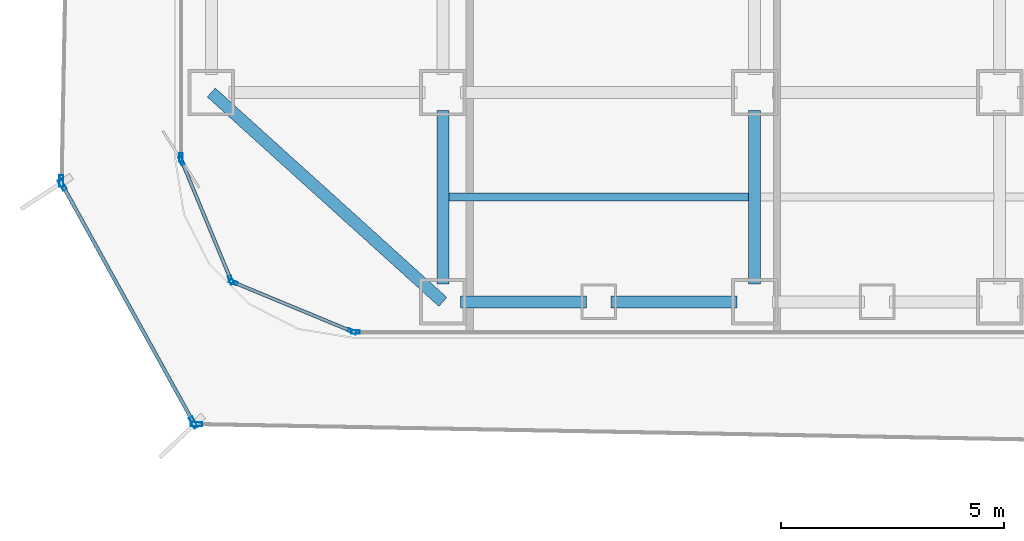
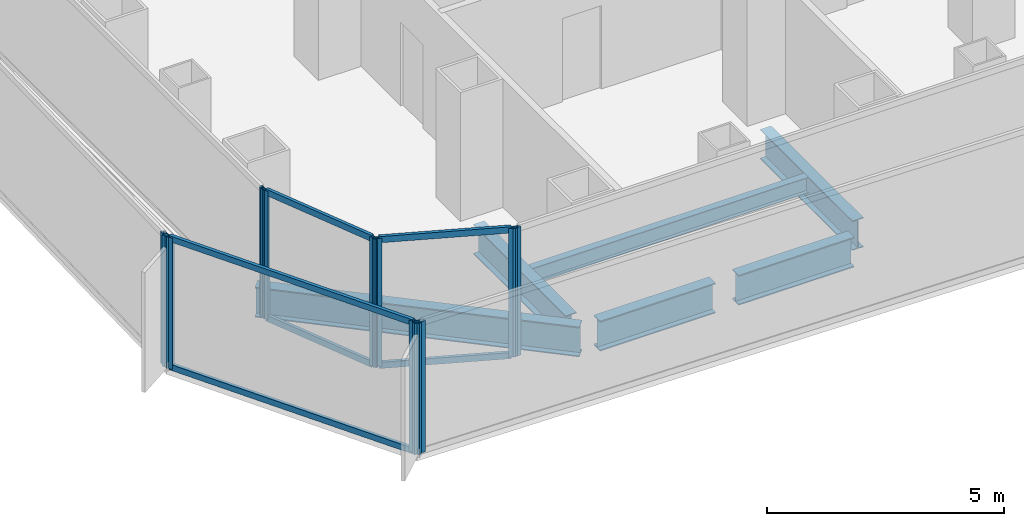
# One storey, part 2 of 22: 16 members, 6 beams, 7 elements without a shape of their own.
"""IFC4 building model written with IfcOpenShell, lengths in metres."""

from ifc_helpers import new_model, si_unit, direction, frame, origin, origin_2d, place, context, subcontext, project, spatial, hollow_rectangle, i_section, extrude, source, transform, mapped, material, layer, layer_set, material_profile, profile_set, type_object, element, aggregate, save


model = new_model("IFC4")

# Units and contexts
model_context = context("Model", 3, precision=1e-05, world=origin(), true_north=direction((0.0, 1.0)))
body_context = subcontext(model_context, "Body", "Model", "MODEL_VIEW")
ifc_project = project(units=[si_unit("LENGTHUNIT", "METRE"), si_unit("AREAUNIT", "SQUARE_METRE"), si_unit("VOLUMEUNIT", "CUBIC_METRE"), si_unit("PLANEANGLEUNIT", "RADIAN"), si_unit("MASSUNIT", "GRAM", prefix="KILO")], contexts=[model_context])

# Site, building, storey
site_placement = place(None, origin())
site = spatial("IfcSite", under=ifc_project, at=site_placement, CompositionType="ELEMENT")
building_placement = place(site_placement, origin())
building = spatial("IfcBuilding", under=site, at=building_placement, Name="Kolveth Station Tower", CompositionType="ELEMENT")
storey_placement = place(building_placement, frame((0.0, 0.0, 81.0)))
storey = spatial("IfcBuildingStorey", under=building, at=storey_placement, Name="L21", CompositionType="ELEMENT", Elevation=81.0)

# Beams
ifc_material_1 = material(Name="Steel S355", Category="steel")
ifc_material_profile_1 = material_profile(ifc_material_1, i_section(OverallWidth=0.26904296875, OverallDepth=0.77490234375, WebThickness=0.01708984375, FlangeThickness=0.0283203125, at=origin_2d()), Name="W760x220")
ifc_profile_set_1 = profile_set([ifc_material_profile_1], Name="Steel S355")
beam_type_1 = type_object("IfcBeamType", Name="Beam_SP1", PredefinedType="SPANDREL", material=ifc_profile_set_1)
shared_shape_1 = source(origin(), body_context, "Body", "SweptSolid", [
    extrude(i_section(OverallWidth=0.26904296875, OverallDepth=0.77490234375, WebThickness=0.01708984375, FlangeThickness=0.0283203125, at=origin_2d()), origin(), (0.0, 0.0, 1.0), 7.00927734375),
])
beam_1_placement = place(storey_placement, frame((0.800048828125, 5.5, -0.66748046875), z_axis=(0.741874009795, -0.670539300557, 0.0), x_axis=(0.670539300557, 0.741874009795, 0.0)))
element("IfcBeam", 1, at=beam_1_placement, inside=storey, type_object=beam_type_1, Name="L21 Corner Edge Girder BM-L21-CNR-SW", PredefinedType="SPANDREL", context=body_context, shape_type="MappedRepresentation", body=[
    mapped(shared_shape_1, transform((0.0, 0.0, 0.0), x_axis=(1.0, 0.0, 0.0), y_axis=(0.0, 1.0, 0.0), z_axis=(0.0, 0.0, 1.0), scale=1.0)),
])
shared_shape_2 = source(origin(), body_context, "Body", "SweptSolid", [
    extrude(i_section(OverallWidth=0.26904296875, OverallDepth=0.77490234375, WebThickness=0.01708984375, FlangeThickness=0.0283203125, at=origin_2d()), origin(), (0.0, 0.0, 1.0), 2.820068359375),
])
for number, where, z_axis, x_axis, name in (
    (2, (6.39990234375, 0.800048828125, -0.66748046875), (1.0, 0.0, 0.0), (0.0, 1.0, 0.0), "L21 Perimeter Spandrel BM-L21-PS-1"),
    (3, (9.780029296875, 0.800048828125, -0.66748046875), (1.0, 0.0, 0.0), (0.0, 1.0, 0.0), "L21 Perimeter Spandrel BM-L21-PS-2"),
):
    element("IfcBeam", number, at=place(storey_placement, frame(where, z_axis=z_axis, x_axis=x_axis)), inside=storey, type_object=beam_type_1, Name=name, PredefinedType="SPANDREL", context=body_context, shape_type="MappedRepresentation", body=[
        mapped(shared_shape_2, transform((0.0, 0.0, 0.0), x_axis=(1.0, 0.0, 0.0), y_axis=(0.0, 1.0, 0.0), z_axis=(0.0, 0.0, 1.0), scale=1.0)),
    ])
ifc_material_profile_2 = material_profile(ifc_material_1, i_section(OverallWidth=0.26708984375, OverallDepth=0.76611328125, WebThickness=0.014892578125, FlangeThickness=0.023681640625, at=origin_2d()), Name="W760x185")
ifc_profile_set_2 = profile_set([ifc_material_profile_2], Name="Steel S355")
beam_type_2 = type_object("IfcBeamType", Name="Beam_B3", PredefinedType="BEAM", material=ifc_profile_set_2)
shared_shape_3 = source(origin(), body_context, "Body", "SweptSolid", [
    extrude(i_section(OverallWidth=0.26708984375, OverallDepth=0.76611328125, WebThickness=0.014892578125, FlangeThickness=0.023681640625, at=origin_2d()), origin(), (0.0, 0.0, 1.0), 3.900146484375),
])
for number, where, z_axis, x_axis, name in (
    (4, (6.0, 1.199951171875, -0.6630859375), (0.0, 1.0, 0.0), (-1.0, 0.0, 0.0), "L21 Primary Girder BM-L21-GX60-1"),
    (5, (13.0, 1.199951171875, -0.6630859375), (0.0, 1.0, 0.0), (-1.0, 0.0, 0.0), "L21 Primary Girder BM-L21-GX130-1"),
):
    element("IfcBeam", number, at=place(storey_placement, frame(where, z_axis=z_axis, x_axis=x_axis)), inside=storey, type_object=beam_type_2, Name=name, PredefinedType="BEAM", context=body_context, shape_type="MappedRepresentation", body=[
        mapped(shared_shape_3, transform((0.0, 0.0, 0.0), x_axis=(1.0, 0.0, 0.0), y_axis=(0.0, 1.0, 0.0), z_axis=(0.0, 0.0, 1.0), scale=1.0)),
    ])
ifc_material_profile_3 = material_profile(ifc_material_1, i_section(OverallWidth=0.177978515625, OverallDepth=0.406982421875, WebThickness=0.0078125, FlangeThickness=0.0126953125, at=origin_2d()), Name="W410x60")
ifc_profile_set_3 = profile_set([ifc_material_profile_3], Name="Steel S355")
beam_type_3 = type_object("IfcBeamType", Name="Beam_J1", PredefinedType="JOIST", material=ifc_profile_set_3)
shared_shape_4 = source(origin(), body_context, "Body", "SweptSolid", [
    extrude(i_section(OverallWidth=0.177978515625, OverallDepth=0.406982421875, WebThickness=0.0078125, FlangeThickness=0.0126953125, at=origin_2d()), origin(), (0.0, 0.0, 1.0), 6.73681640625),
])
beam_2_placement = place(storey_placement, frame((6.131591796875, 3.14990234375, -0.4833984375), z_axis=(1.0, 0.0, 0.0), x_axis=(0.0, 1.0, 0.0)))
element("IfcBeam", 6, at=beam_2_placement, inside=storey, type_object=beam_type_3, Name="L21 Secondary Joist JST-L21-2-1", PredefinedType="JOIST", context=body_context, shape_type="MappedRepresentation", body=[
    mapped(shared_shape_4, transform((0.0, 0.0, 0.0), x_axis=(1.0, 0.0, 0.0), y_axis=(0.0, 1.0, 0.0), z_axis=(0.0, 0.0, 1.0), scale=1.0)),
])

# Curtain wall, member
ifc_material_2 = material(Name="Aluminium 6063-T6 and low-E dark glass", Category="aluminium")
ifc_layer_1 = layer(ifc_material_2, 0.179931640625)
ifc_layer_set_1 = layer_set([ifc_layer_1], Name="Aluminium 6063-T6 and low-E dark glass")
curtain_wall_type_1 = type_object("IfcCurtainWallType", Name="CurtainWall_CW-Z1", PredefinedType="NOTDEFINED", material=ifc_layer_set_1)
curtain_wall_1_placement = place(storey_placement, origin())
curtain_wall_1 = element("IfcCurtainWall", 7, at=curtain_wall_1_placement, inside=storey, type_object=curtain_wall_type_1, Name="L21 Inner Thermal Curtain Wall 9", PredefinedType="NOTDEFINED")
ifc_material_3 = material(Name="Black anodized aluminium 6063-T6", Category="aluminium")
ifc_material_profile_4 = material_profile(ifc_material_3, hollow_rectangle(XDim=0.074951171875, YDim=0.18994140625, WallThickness=0.0048828125, at=origin_2d()), Name="ALU-75x190x5")
ifc_profile_set_4 = profile_set([ifc_material_profile_4], Name="Black anodized aluminium 6063-T6")
member_type_1 = type_object("IfcMemberType", Name="Mullion_ML1", PredefinedType="MULLION", material=ifc_profile_set_4)
shared_shape_5 = source(origin(), body_context, "Body", "SweptSolid", [
    extrude(hollow_rectangle(XDim=0.074951171875, YDim=0.18994140625, WallThickness=0.0048828125, at=origin_2d()), origin(), (0.0, 0.0, 1.0), 3.320068359375),
])
member_1_placement = place(storey_placement, frame((0.1201171875, 4.03759765625, 0.0), z_axis=(0.0, 0.0, 1.0), x_axis=(1.0, 0.0, 0.0)))
member_1 = element("IfcMember", 8, at=member_1_placement, type_object=member_type_1, Name="CW-Z1 mullion 2", PredefinedType="MULLION", context=body_context, shape_type="MappedRepresentation", body=[
    mapped(shared_shape_5, transform((0.0, 0.0, 0.0), x_axis=(1.0, 0.0, 0.0), y_axis=(0.0, 1.0, 0.0), z_axis=(0.0, 0.0, 1.0), scale=1.0)),
])
aggregate(curtain_wall_1, [member_1])

# Curtain wall, members
curtain_wall_2_placement = place(storey_placement, origin())
curtain_wall_2 = element("IfcCurtainWall", 9, at=curtain_wall_2_placement, inside=storey, type_object=curtain_wall_type_1, Name="L21 Inner Thermal Curtain Wall 10", PredefinedType="NOTDEFINED")
member_2_placement = place(storey_placement, frame((0.13427734375, 3.96533203125, 0.0), z_axis=(0.0, 0.0, 1.0), x_axis=(0.923883857728, 0.382672990201, 0.0)))
member_2 = element("IfcMember", 10, at=member_2_placement, type_object=member_type_1, Name="CW-Z1 mullion 1", PredefinedType="MULLION", context=body_context, shape_type="MappedRepresentation", body=[
    mapped(shared_shape_5, transform((0.0, 0.0, 0.0), x_axis=(1.0, 0.0, 0.0), y_axis=(0.0, 1.0, 0.0), z_axis=(0.0, 0.0, 1.0), scale=1.0)),
])
member_3_placement = place(storey_placement, frame((1.241943359375, 1.291015625, 0.0), z_axis=(0.0, 0.0, 1.0), x_axis=(0.923883857728, 0.382672990201, 0.0)))
member_3 = element("IfcMember", 11, at=member_3_placement, type_object=member_type_1, Name="CW-Z1 mullion 2", PredefinedType="MULLION", context=body_context, shape_type="MappedRepresentation", body=[
    mapped(shared_shape_5, transform((0.0, 0.0, 0.0), x_axis=(1.0, 0.0, 0.0), y_axis=(0.0, 1.0, 0.0), z_axis=(0.0, 0.0, 1.0), scale=1.0)),
])

curtain_wall_3_placement = place(storey_placement, origin())
curtain_wall_3 = element("IfcCurtainWall", 12, at=curtain_wall_3_placement, inside=storey, type_object=curtain_wall_type_1, Name="L21 Inner Thermal Curtain Wall 11", PredefinedType="NOTDEFINED")
member_4_placement = place(storey_placement, frame((1.291015625, 1.241943359375, 0.0), z_axis=(0.0, 0.0, 1.0), x_axis=(0.382672990201, 0.923883857728, 0.0)))
member_4 = element("IfcMember", 13, at=member_4_placement, type_object=member_type_1, Name="CW-Z1 mullion 1", PredefinedType="MULLION", context=body_context, shape_type="MappedRepresentation", body=[
    mapped(shared_shape_5, transform((0.0, 0.0, 0.0), x_axis=(1.0, 0.0, 0.0), y_axis=(0.0, 1.0, 0.0), z_axis=(0.0, 0.0, 1.0), scale=1.0)),
])
member_5_placement = place(storey_placement, frame((3.96533203125, 0.13427734375, 0.0), z_axis=(0.0, 0.0, 1.0), x_axis=(0.382672990201, 0.923883857728, 0.0)))
member_5 = element("IfcMember", 14, at=member_5_placement, type_object=member_type_1, Name="CW-Z1 mullion 2", PredefinedType="MULLION", context=body_context, shape_type="MappedRepresentation", body=[
    mapped(shared_shape_5, transform((0.0, 0.0, 0.0), x_axis=(1.0, 0.0, 0.0), y_axis=(0.0, 1.0, 0.0), z_axis=(0.0, 0.0, 1.0), scale=1.0)),
])

# Curtain wall, member
curtain_wall_4_placement = place(storey_placement, origin())
curtain_wall_4 = element("IfcCurtainWall", 15, at=curtain_wall_4_placement, inside=storey, type_object=curtain_wall_type_1, Name="L21 Inner Thermal Curtain Wall 12", PredefinedType="NOTDEFINED")
member_6_placement = place(storey_placement, frame((4.03759765625, 0.1201171875, 0.0), z_axis=(0.0, 0.0, 1.0), x_axis=(0.0, 1.0, 0.0)))
member_6 = element("IfcMember", 16, at=member_6_placement, type_object=member_type_1, Name="CW-Z1 mullion 1", PredefinedType="MULLION", context=body_context, shape_type="MappedRepresentation", body=[
    mapped(shared_shape_5, transform((0.0, 0.0, 0.0), x_axis=(1.0, 0.0, 0.0), y_axis=(0.0, 1.0, 0.0), z_axis=(0.0, 0.0, 1.0), scale=1.0)),
])
aggregate(curtain_wall_4, [member_6])

# Member
ifc_material_profile_5 = material_profile(ifc_material_3, hollow_rectangle(XDim=0.074951171875, YDim=0.159912109375, WallThickness=0.0048828125, at=origin_2d()), Name="ALU-75x160x5")
ifc_profile_set_5 = profile_set([ifc_material_profile_5], Name="Black anodized aluminium 6063-T6")
member_type_2 = type_object("IfcMemberType", Name="Transom_TR1", PredefinedType="USERDEFINED", material=ifc_profile_set_5)
shared_shape_6 = source(origin(), body_context, "Body", "SweptSolid", [
    extrude(hollow_rectangle(XDim=0.074951171875, YDim=0.159912109375, WallThickness=0.0048828125, at=origin_2d()), origin(), (0.0, 0.0, 1.0), 2.819580078125),
])
member_7_placement = place(storey_placement, frame((0.148681640625, 3.9306640625, 0.03759765625), z_axis=(0.382708655389, -0.923869084389, 0.0), x_axis=(0.923869084389, 0.382708655389, 0.0)))
member_7 = element("IfcMember", 17, at=member_7_placement, type_object=member_type_2, Name="CW-Z1 transom 1.1", ObjectType="TRANSOM", PredefinedType="USERDEFINED", context=body_context, shape_type="MappedRepresentation", body=[
    mapped(shared_shape_6, transform((0.0, 0.0, 0.0), x_axis=(1.0, 0.0, 0.0), y_axis=(0.0, 1.0, 0.0), z_axis=(0.0, 0.0, 1.0), scale=1.0)),
])

member_8_placement = place(storey_placement, frame((0.148681640625, 3.9306640625, 3.282470703125), z_axis=(0.382708655389, -0.923869084389, 0.0), x_axis=(0.923869084389, 0.382708655389, 0.0)))
member_8 = element("IfcMember", 18, at=member_8_placement, type_object=member_type_2, Name="CW-Z1 transom 1.2", ObjectType="TRANSOM", PredefinedType="USERDEFINED", context=body_context, shape_type="MappedRepresentation", body=[
    mapped(shared_shape_6, transform((0.0, 0.0, 0.0), x_axis=(1.0, 0.0, 0.0), y_axis=(0.0, 1.0, 0.0), z_axis=(0.0, 0.0, 1.0), scale=1.0)),
])

aggregate(curtain_wall_2, [member_2, member_3, member_7, member_8])

member_9_placement = place(storey_placement, frame((1.32568359375, 1.227783203125, 0.03759765625), z_axis=(0.923869084389, -0.382708655389, 0.0), x_axis=(0.382708655389, 0.923869084389, 0.0)))
member_9 = element("IfcMember", 19, at=member_9_placement, type_object=member_type_2, Name="CW-Z1 transom 1.1", ObjectType="TRANSOM", PredefinedType="USERDEFINED", context=body_context, shape_type="MappedRepresentation", body=[
    mapped(shared_shape_6, transform((0.0, 0.0, 0.0), x_axis=(1.0, 0.0, 0.0), y_axis=(0.0, 1.0, 0.0), z_axis=(0.0, 0.0, 1.0), scale=1.0)),
])

member_10_placement = place(storey_placement, frame((1.32568359375, 1.227783203125, 3.282470703125), z_axis=(0.923869084389, -0.382708655389, 0.0), x_axis=(0.382708655389, 0.923869084389, 0.0)))
member_10 = element("IfcMember", 20, at=member_10_placement, type_object=member_type_2, Name="CW-Z1 transom 1.2", ObjectType="TRANSOM", PredefinedType="USERDEFINED", context=body_context, shape_type="MappedRepresentation", body=[
    mapped(shared_shape_6, transform((0.0, 0.0, 0.0), x_axis=(1.0, 0.0, 0.0), y_axis=(0.0, 1.0, 0.0), z_axis=(0.0, 0.0, 1.0), scale=1.0)),
])

aggregate(curtain_wall_3, [member_4, member_5, member_9, member_10])

# Curtain wall, member
ifc_material_4 = material(Name="Black anodized aluminium 6063-T6 and dark solar glass", Category="aluminium")
ifc_layer_2 = layer(ifc_material_4, 0.159912109375)
ifc_layer_set_2 = layer_set([ifc_layer_2], Name="Black anodized aluminium 6063-T6 and dark solar glass")
curtain_wall_type_2 = type_object("IfcCurtainWallType", Name="OUTER SKIN CW-OS", PredefinedType="NOTDEFINED", material=ifc_layer_set_2)
curtain_wall_5_placement = place(storey_placement, origin())
curtain_wall_5 = element("IfcCurtainWall", 21, at=curtain_wall_5_placement, inside=storey, type_object=curtain_wall_type_2, Name="L21 Outer Ventilated Skin Curtain Wall 6", PredefinedType="NOTDEFINED")
ifc_material_profile_6 = material_profile(ifc_material_3, hollow_rectangle(XDim=0.090087890625, YDim=0.260009765625, WallThickness=0.0048828125, at=origin_2d()), Name="ALU-90x260x5")
ifc_profile_set_6 = profile_set([ifc_material_profile_6], Name="Black anodized aluminium 6063-T6")
member_type_3 = type_object("IfcMemberType", Name="FIN MULLION ML-OS", PredefinedType="MULLION", material=ifc_profile_set_6)
shared_shape_7 = source(origin(), body_context, "Body", "SweptSolid", [
    extrude(hollow_rectangle(XDim=0.090087890625, YDim=0.260009765625, WallThickness=0.0048828125, at=origin_2d()), origin(), (0.0, 0.0, 1.0), 3.389892578125),
])
member_11_placement = place(storey_placement, frame((-2.565185546875, 3.513427734375, 0.0), z_axis=(0.0, 0.0, 1.0), x_axis=(0.999826047581, -0.01865139618, 0.0)))
member_11 = element("IfcMember", 22, at=member_11_placement, type_object=member_type_3, Name="CW-OS mullion 2", PredefinedType="MULLION", context=body_context, shape_type="MappedRepresentation", body=[
    mapped(shared_shape_7, transform((0.0, 0.0, 0.0), x_axis=(1.0, 0.0, 0.0), y_axis=(0.0, 1.0, 0.0), z_axis=(0.0, 0.0, 1.0), scale=1.0)),
])
aggregate(curtain_wall_5, [member_11])

# Curtain wall, members
curtain_wall_6_placement = place(storey_placement, origin())
curtain_wall_6 = element("IfcCurtainWall", 23, at=curtain_wall_6_placement, inside=storey, type_object=curtain_wall_type_2, Name="L21 Outer Ventilated Skin Curtain Wall 7", PredefinedType="NOTDEFINED")
member_12_placement = place(storey_placement, frame((-2.544189453125, 3.428955078125, 0.0), z_axis=(0.0, 0.0, 1.0), x_axis=(0.875543961175, 0.483138460536, 0.0)))
member_12 = element("IfcMember", 24, at=member_12_placement, type_object=member_type_3, Name="CW-OS mullion 1", PredefinedType="MULLION", context=body_context, shape_type="MappedRepresentation", body=[
    mapped(shared_shape_7, transform((0.0, 0.0, 0.0), x_axis=(1.0, 0.0, 0.0), y_axis=(0.0, 1.0, 0.0), z_axis=(0.0, 0.0, 1.0), scale=1.0)),
])
member_13_placement = place(storey_placement, frame((0.400634765625, -1.90771484375, 0.0), z_axis=(0.0, 0.0, 1.0), x_axis=(0.875543961175, 0.483138460536, 0.0)))
member_13 = element("IfcMember", 25, at=member_13_placement, type_object=member_type_3, Name="CW-OS mullion 2", PredefinedType="MULLION", context=body_context, shape_type="MappedRepresentation", body=[
    mapped(shared_shape_7, transform((0.0, 0.0, 0.0), x_axis=(1.0, 0.0, 0.0), y_axis=(0.0, 1.0, 0.0), z_axis=(0.0, 0.0, 1.0), scale=1.0)),
])

# Curtain wall, member
curtain_wall_7_placement = place(storey_placement, origin())
curtain_wall_7 = element("IfcCurtainWall", 26, at=curtain_wall_7_placement, inside=storey, type_object=curtain_wall_type_2, Name="L21 Outer Ventilated Skin Curtain Wall 8", PredefinedType="NOTDEFINED")
member_14_placement = place(storey_placement, frame((0.46728515625, -1.94775390625, 0.0), z_axis=(0.0, 0.0, 1.0), x_axis=(0.018493788461, 0.999828975269, 0.0)))
member_14 = element("IfcMember", 27, at=member_14_placement, type_object=member_type_3, Name="CW-OS mullion 1", PredefinedType="MULLION", context=body_context, shape_type="MappedRepresentation", body=[
    mapped(shared_shape_7, transform((0.0, 0.0, 0.0), x_axis=(1.0, 0.0, 0.0), y_axis=(0.0, 1.0, 0.0), z_axis=(0.0, 0.0, 1.0), scale=1.0)),
])
aggregate(curtain_wall_7, [member_14])

# Member
ifc_material_profile_7 = material_profile(ifc_material_3, hollow_rectangle(XDim=0.080078125, YDim=0.14990234375, WallThickness=0.0048828125, at=origin_2d()), Name="ALU-80x150x5")
ifc_profile_set_7 = profile_set([ifc_material_profile_7], Name="Black anodized aluminium 6063-T6")
member_type_4 = type_object("IfcMemberType", Name="Transom_TR-OS", PredefinedType="USERDEFINED", material=ifc_profile_set_7)
shared_shape_8 = source(origin(), body_context, "Body", "SweptSolid", [
    extrude(hollow_rectangle(XDim=0.080078125, YDim=0.14990234375, WallThickness=0.0048828125, at=origin_2d()), origin(), (0.0, 0.0, 1.0), 6.005126953125),
])
member_15_placement = place(storey_placement, frame((-2.5224609375, 3.3896484375, 0.0400390625), z_axis=(0.483141825994, -0.875542104056, 0.0), x_axis=(0.875542104056, 0.483141825994, 0.0)))
member_15 = element("IfcMember", 28, at=member_15_placement, type_object=member_type_4, Name="CW-OS transom 1.1", ObjectType="TRANSOM", PredefinedType="USERDEFINED", context=body_context, shape_type="MappedRepresentation", body=[
    mapped(shared_shape_8, transform((0.0, 0.0, 0.0), x_axis=(1.0, 0.0, 0.0), y_axis=(0.0, 1.0, 0.0), z_axis=(0.0, 0.0, 1.0), scale=1.0)),
])

member_16_placement = place(storey_placement, frame((-2.5224609375, 3.3896484375, 3.35009765625), z_axis=(0.483141825994, -0.875542104056, 0.0), x_axis=(0.875542104056, 0.483141825994, 0.0)))
member_16 = element("IfcMember", 29, at=member_16_placement, type_object=member_type_4, Name="CW-OS transom 1.2", ObjectType="TRANSOM", PredefinedType="USERDEFINED", context=body_context, shape_type="MappedRepresentation", body=[
    mapped(shared_shape_8, transform((0.0, 0.0, 0.0), x_axis=(1.0, 0.0, 0.0), y_axis=(0.0, 1.0, 0.0), z_axis=(0.0, 0.0, 1.0), scale=1.0)),
])

aggregate(curtain_wall_6, [member_12, member_13, member_15, member_16])

save(model, "model.ifc")
